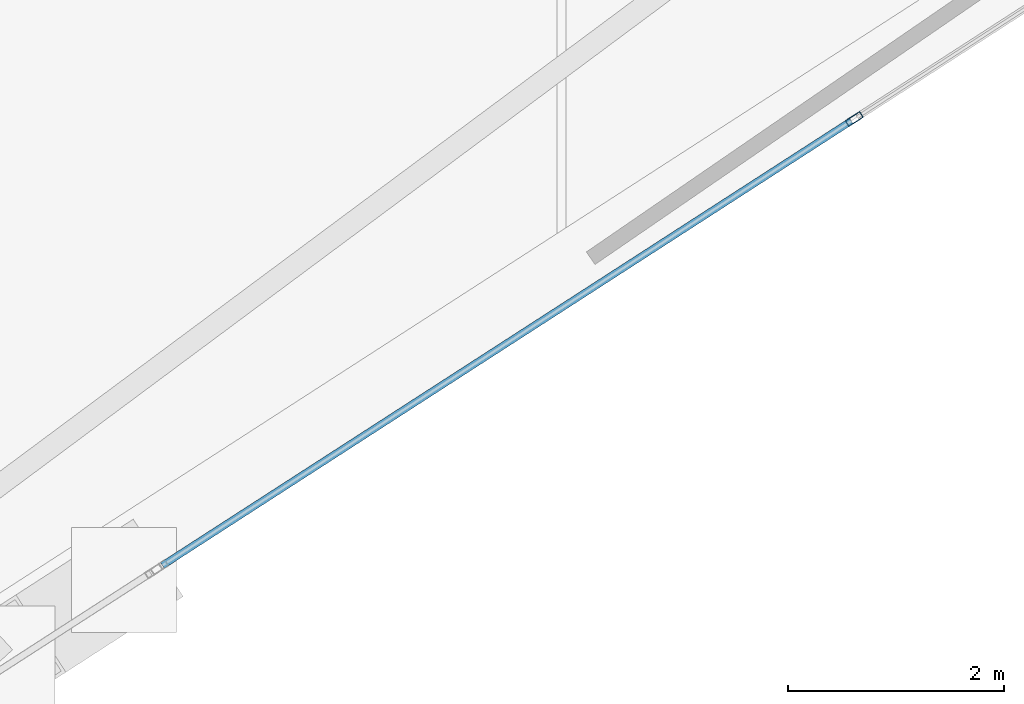
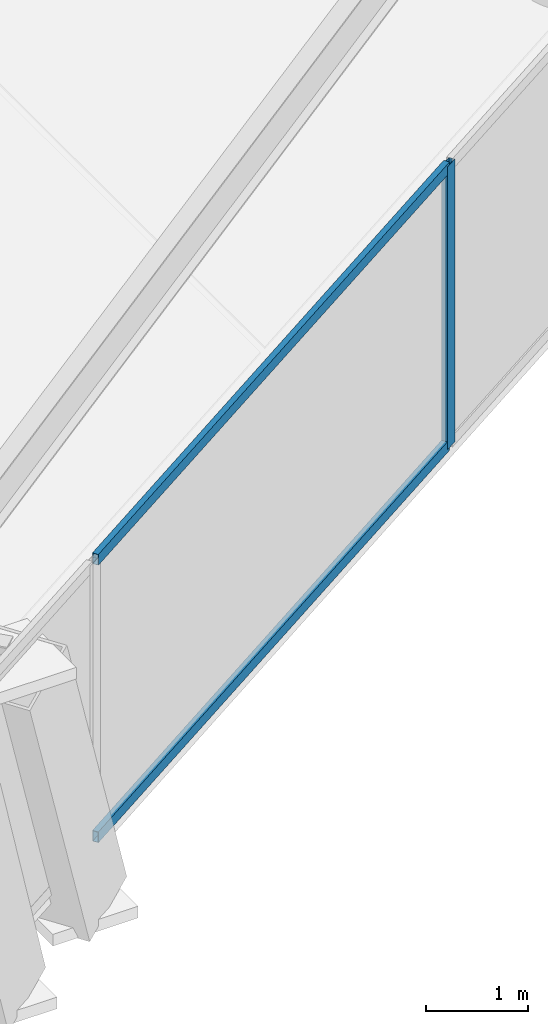
# One storey, part 7 of 22: 3 members, 1 element without a shape of its own.
"""IFC4 building model written with IfcOpenShell, lengths in metres."""

from ifc_helpers import new_model, si_unit, direction, frame, origin, origin_2d, place, context, subcontext, project, spatial, hollow_rectangle, extrude, material, layer, layer_set, material_profile, profile_set, type_object, element, aggregate, save


model = new_model("IFC4")

# Units and contexts
model_context = context("Model", 3, precision=1e-05, world=origin(), true_north=direction((0.0, 1.0)))
body_context = subcontext(model_context, "Body", "Model", "MODEL_VIEW")
ifc_project = project(units=[si_unit("LENGTHUNIT", "METRE"), si_unit("AREAUNIT", "SQUARE_METRE"), si_unit("VOLUMEUNIT", "CUBIC_METRE"), si_unit("PLANEANGLEUNIT", "RADIAN"), si_unit("MASSUNIT", "GRAM", prefix="KILO")], contexts=[model_context])

# Site, building, storey
site_placement = place(None, origin())
site = spatial("IfcSite", under=ifc_project, at=site_placement, CompositionType="ELEMENT")
building_placement = place(site_placement, origin())
building = spatial("IfcBuilding", under=site, at=building_placement, Name="Qianvela Tower", CompositionType="ELEMENT")
storey_placement = place(building_placement, frame((0.0, 0.0, 180.89990234375)))
storey = spatial("IfcBuildingStorey", under=building, at=storey_placement, Name="L46", CompositionType="ELEMENT", Elevation=180.89990234375)

# Curtain wall, members
ifc_material_1 = material(Name="Anodised Architectural Aluminium and Low-E Glass", Category="aluminium")
ifc_layer = layer(ifc_material_1, 0.169921875)
ifc_layer_set = layer_set([ifc_layer], Name="Anodised Architectural Aluminium and Low-E Glass")
curtain_wall_type = type_object("IfcCurtainWallType", Name="CW-COLIV-Z34", PredefinedType="USERDEFINED", material=ifc_layer_set)
curtain_wall_placement = place(storey_placement, origin())
curtain_wall = element("IfcCurtainWall", 1, at=curtain_wall_placement, inside=storey, type_object=curtain_wall_type, Name="L46 CW-COLIV-Z34 Curtain Wall 06C", ObjectType="CURTAIN_WALL_SYSTEM", PredefinedType="USERDEFINED")
ifc_material_2 = material(Name="Anodised Architectural Aluminium 6063-T6", Category="aluminium")
ifc_material_profile_1 = material_profile(ifc_material_2, hollow_rectangle(XDim=0.06494140625, YDim=0.159912109375, WallThickness=0.0048828125, at=origin_2d()), Name="ALU-MULL-65x160")
ifc_profile_set_1 = profile_set([ifc_material_profile_1], Name="Anodised Architectural Aluminium 6063-T6")
member_type_1 = type_object("IfcMemberType", Name="CW-COLIV-Z34-MULL", PredefinedType="MULLION", material=ifc_profile_set_1)
member_1_placement = place(storey_placement, frame((52.260986328125, 21.284423828125, 0.0), z_axis=(0.0, 0.0, 1.0), x_axis=(-0.542189956292, 0.840255943922, 0.0)))
member_1 = element("IfcMember", 2, at=member_1_placement, type_object=member_type_1, Name="CW-4 mullion 2", PredefinedType="MULLION", context=body_context, shape_type="SweptSolid", body=[
    extrude(hollow_rectangle(XDim=0.06494140625, YDim=0.159912109375, WallThickness=0.0048828125, at=origin_2d()), origin(), (0.0, 0.0, 1.0), 3.400146484375),
])
ifc_material_3 = material(Name="Anodised Architectural Aluminium 6063-T6", Category="aluminium")
ifc_material_profile_2 = material_profile(ifc_material_3, hollow_rectangle(XDim=0.06494140625, YDim=0.1298828125, WallThickness=0.00439453125, at=origin_2d()), Name="ALU-TRAN-65x130")
ifc_profile_set_2 = profile_set([ifc_material_profile_2], Name="Anodised Architectural Aluminium 6063-T6")
member_type_2 = type_object("IfcMemberType", Name="CW-COLIV-Z34-TRAN", PredefinedType="USERDEFINED", material=ifc_profile_set_2)
member_2_placement = place(storey_placement, frame((45.869140625, 17.159912109375, 0.03271484375), z_axis=(0.840248332853, 0.542201751323, 0.0), x_axis=(-0.542201751323, 0.840248332853, 0.0)))
member_2 = element("IfcMember", 3, at=member_2_placement, type_object=member_type_2, Name="CW-4 transom 1.1", ObjectType="TRANSOM", PredefinedType="USERDEFINED", context=body_context, shape_type="SweptSolid", body=[
    extrude(hollow_rectangle(XDim=0.06494140625, YDim=0.1298828125, WallThickness=0.00439453125, at=origin_2d()), origin(), (0.0, 0.0, 1.0), 7.574462890625),
])
member_3_placement = place(storey_placement, frame((45.869140625, 17.159912109375, 3.36767578125), z_axis=(0.840248332853, 0.542201751323, 0.0), x_axis=(-0.542201751323, 0.840248332853, 0.0)))
member_3 = element("IfcMember", 4, at=member_3_placement, type_object=member_type_2, Name="CW-4 transom 1.2", ObjectType="TRANSOM", PredefinedType="USERDEFINED", context=body_context, shape_type="SweptSolid", body=[
    extrude(hollow_rectangle(XDim=0.06494140625, YDim=0.1298828125, WallThickness=0.00439453125, at=origin_2d()), origin(), (0.0, 0.0, 1.0), 7.574462890625),
])
aggregate(curtain_wall, [member_1, member_2, member_3])

save(model, "model.ifc")
